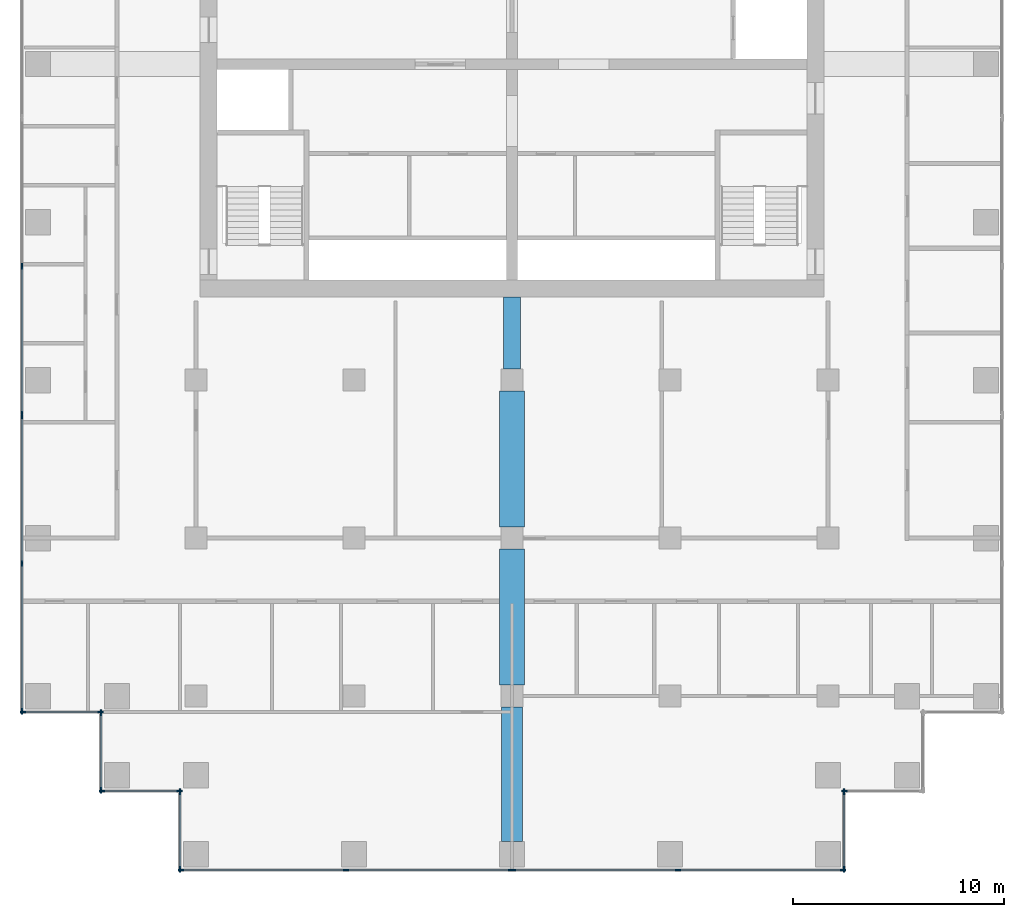
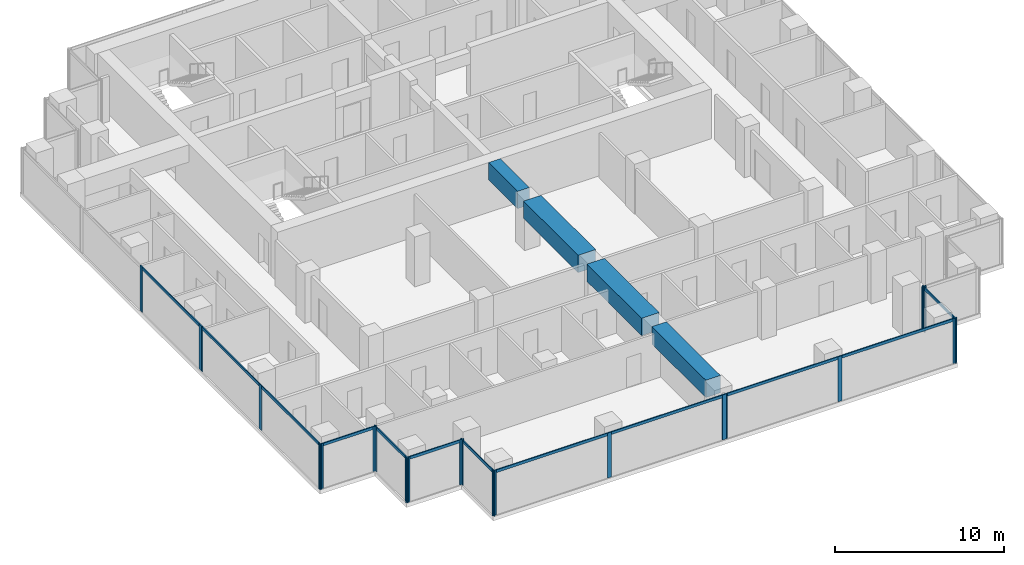
# One storey, part 2 of 10: 34 members, 4 beams, 10 elements without a shape of their own.
"""IFC4 building model written with IfcOpenShell, lengths in metres."""

import ifcopenshell
import ifcopenshell.guid

model = None  # the IFC model being written
_history = None  # IfcOwnerHistory: only IFC2X3 demands one
_inside = {}  # id of a spatial element -> (the spatial element, [elements in it])
_under = {}  # id of a project, library or spatial element -> (it, [spatial elements below it])
_declared = {}  # id of a project -> (the project, [libraries it declares])
_typed = {}  # id of a type object -> (the type object, [elements of that type])
_made_of = {}  # id of a material, layer set ... -> (it, [elements and type objects made of it])


def new_model(schema):
    """Start an empty IFC model of exactly this schema.

    Asked for "IFC4X3", IfcOpenShell would pick the latest addendum, in which some entities
    have other attributes; the version numbers below select the first issue.
    IFC2X3 requires an IfcOwnerHistory on every rooted entity: one is made here for all.
    """
    global model, _history
    if schema == "IFC4X3":
        model = ifcopenshell.file(schema_version=(4, 3, 0, 0))
    else:
        model = ifcopenshell.file(schema=schema)
    _inside.clear()
    _under.clear()
    _declared.clear()
    _typed.clear()
    _made_of.clear()
    _history = None
    if model.schema == "IFC2X3":
        org = make("IfcOrganization", Name="unknown")
        user = make(
            "IfcPersonAndOrganization",
            ThePerson=make("IfcPerson", FamilyName="unknown"),
            TheOrganization=org,
        )
        app = make(
            "IfcApplication",
            ApplicationDeveloper=org,
            Version="unknown",
            ApplicationFullName="unknown",
            ApplicationIdentifier="unknown",
        )
        _history = make(
            "IfcOwnerHistory",
            OwningUser=user,
            OwningApplication=app,
            ChangeAction="ADDED",
            CreationDate=0,
        )
    return model


def make(cls, **values):
    """One entity of the class cls with the attributes given. An attribute that is None is left unset."""
    return model.create_entity(
        cls, **{name: value for name, value in values.items() if value is not None}
    )


def rooted(cls, **values):
    """An entity with a GlobalId (a new one), such as an element, a storey or a relation."""
    return make(cls, GlobalId=ifcopenshell.guid.new(), OwnerHistory=_history, **values)


def si_unit(unit_type, name, prefix=None):
    """IfcSIUnit, for example si_unit("LENGTHUNIT", "METRE", prefix="MILLI")."""
    return make("IfcSIUnit", UnitType=unit_type, Prefix=prefix, Name=name)


def assignment(units):
    """IfcUnitAssignment: the units of a project."""
    return None if units is None else make("IfcUnitAssignment", Units=units)


def point(xyz):
    """IfcCartesianPoint."""
    return None if xyz is None else make("IfcCartesianPoint", Coordinates=xyz)


def direction(xyz):
    """IfcDirection."""
    return None if xyz is None else make("IfcDirection", DirectionRatios=xyz)


def frame(location, z_axis=None, x_axis=None):
    """IfcAxis2Placement3D, a coordinate frame: its origin and axes. An axis left out is left unset."""
    return make(
        "IfcAxis2Placement3D",
        Location=point(location),
        Axis=direction(z_axis),
        RefDirection=direction(x_axis),
    )


def frame_2d(location, x_axis=None):
    """IfcAxis2Placement2D, a coordinate frame in the plane: its origin and x axis."""
    return make(
        "IfcAxis2Placement2D", Location=point(location), RefDirection=direction(x_axis)
    )


def origin():
    """The frame at (0, 0, 0) with its axes left unset."""
    return frame((0.0, 0.0, 0.0))


def origin_2d():
    """The frame at (0, 0) in the plane with its x axis left unset."""
    return frame_2d((0.0, 0.0))


def place(relative_to, where):
    """IfcLocalPlacement: puts the frame where relative to a parent placement (None: the world)."""
    return make(
        "IfcLocalPlacement", PlacementRelTo=relative_to, RelativePlacement=where
    )


def context(
    kind, dimensions, precision=None, world=None, true_north=None, identifier=None
):
    """IfcGeometricRepresentationContext, for example the 3D "Model" context."""
    return make(
        "IfcGeometricRepresentationContext",
        ContextIdentifier=identifier,
        ContextType=kind,
        CoordinateSpaceDimension=dimensions,
        Precision=precision,
        WorldCoordinateSystem=world,
        TrueNorth=true_north,
    )


def subcontext(parent, identifier, kind, view, scale=None):
    """IfcGeometricRepresentationSubContext, for example "Body" below "Model"."""
    return make(
        "IfcGeometricRepresentationSubContext",
        ContextIdentifier=identifier,
        ContextType=kind,
        ParentContext=parent,
        TargetScale=scale,
        TargetView=view,
    )


def project(units=None, contexts=None):
    """IfcProject with its units and contexts."""
    return rooted(
        "IfcProject",
        Name="project",
        RepresentationContexts=contexts,
        UnitsInContext=assignment(units),
    )


def spatial(cls, under=None, at=None, **own):
    """A site, building, storey or space (cls), placed at a placement, below another one or the project."""
    s = rooted(cls, ObjectPlacement=at, **own)
    if under is not None:
        _under.setdefault(under.id(), (under, []))[1].append(s)
    return s


def profile(cls, at=None, kind="AREA", **sizes):
    """A parametric profile (cls). Its sizes go by their IFC names, for example OverallWidth=200.0."""
    return make(cls, ProfileType=kind, Position=at, **sizes)


def rectangle(**sizes):
    """IfcRectangleProfileDef."""
    return profile("IfcRectangleProfileDef", **sizes)


def extrude(swept, where, along, depth):
    """IfcExtrudedAreaSolid: the profile swept, set in the frame where, extruded along a direction by depth."""
    return make(
        "IfcExtrudedAreaSolid",
        SweptArea=swept,
        Position=where,
        ExtrudedDirection=direction(along),
        Depth=depth,
    )


def shape(context_of_items, identifier, shape_type, items):
    """IfcShapeRepresentation: the items that make up one representation, for example the "Body"."""
    return make(
        "IfcShapeRepresentation",
        ContextOfItems=context_of_items,
        RepresentationIdentifier=identifier,
        RepresentationType=shape_type,
        Items=items,
    )


def material(Name=None, Category=None):
    """IfcMaterial."""
    return make("IfcMaterial", Name=Name, Category=Category)


def material_profile(
    of_material, cross_section, Name=None, Category=None, Priority=None
):
    """IfcMaterialProfile: a cross section and its material."""
    return make(
        "IfcMaterialProfile",
        Name=Name,
        Material=of_material,
        Profile=cross_section,
        Priority=Priority,
        Category=Category,
    )


def profile_set(profiles, Name=None, composite=None):
    """IfcMaterialProfileSet."""
    return make(
        "IfcMaterialProfileSet",
        Name=Name,
        MaterialProfiles=profiles,
        CompositeProfile=composite,
    )


def made_of(thing, what):
    """Note that an element or type object is made of a material, layer set ...; save() writes the relation."""
    if what is not None:
        _made_of.setdefault(what.id(), (what, []))[1].append(thing)
    return thing


def type_object(cls, material=None, **own):
    """A type object (cls), such as IfcWallType, which elements share."""
    return made_of(rooted(cls, **own), material)


def element(
    cls,
    number,
    at=None,
    inside=None,
    cuts=None,
    type_object=None,
    material=None,
    context=None,
    identifier="Body",
    shape_type=None,
    held_by="IfcProductDefinitionShape",
    body=None,
    shapes=None,
    **own,
):
    """One element of the class cls, such as IfcWall. Its Tag is "e" and its number.

    at: its placement. inside: the storey or other place that contains it. cuts: it is an
    opening in that element (IfcRelVoidsElement). A single representation is given by context,
    identifier, shape_type and body (its items); several are given by shapes. held_by: the class
    of the entity that holds the representations. save() writes the other relations.
    """
    e = rooted(cls, Tag="e%d" % number, ObjectPlacement=at, **own)
    if body is not None:
        shapes = [shape(context, identifier, shape_type, body)]
    if shapes is not None:
        e.Representation = make(held_by, Representations=shapes)
    if inside is not None:
        _inside.setdefault(inside.id(), (inside, []))[1].append(e)
    if cuts is not None:
        rooted(
            "IfcRelVoidsElement", RelatingBuildingElement=cuts, RelatedOpeningElement=e
        )
    if type_object is not None:
        _typed.setdefault(type_object.id(), (type_object, []))[1].append(e)
    return made_of(e, material)


def aggregate(whole, parts):
    """IfcRelAggregates: a whole, such as a stair, and the parts it consists of."""
    return rooted("IfcRelAggregates", RelatingObject=whole, RelatedObjects=parts)


def save(model, path):
    """Write the relations noted so far, then the file.

    IfcRelAggregates (storeys below a building ...), IfcRelContainedInSpatialStructure (elements
    in a storey), IfcRelDefinesByType, IfcRelAssociatesMaterial and IfcRelDeclares: one each for
    every whole, place, type object, material and project.
    """
    for whole, parts in _under.values():
        aggregate(whole, parts)
    for where, things in _inside.values():
        rooted(
            "IfcRelContainedInSpatialStructure",
            RelatedElements=things,
            RelatingStructure=where,
        )
    for kind, things in _typed.values():
        rooted("IfcRelDefinesByType", RelatedObjects=things, RelatingType=kind)
    for what, things in _made_of.values():
        rooted("IfcRelAssociatesMaterial", RelatedObjects=things, RelatingMaterial=what)
    for by, libraries in _declared.values():
        rooted("IfcRelDeclares", RelatingContext=by, RelatedDefinitions=libraries)
    model.write(path)


model = new_model("IFC4")

# Units and contexts
model_context = context("Model", 3, precision=1e-05, world=origin(), true_north=direction((0.0, 1.0)))
body_context = subcontext(model_context, "Body", "Model", "MODEL_VIEW")
ifc_project = project(units=[si_unit("LENGTHUNIT", "METRE"), si_unit("AREAUNIT", "SQUARE_METRE"), si_unit("VOLUMEUNIT", "CUBIC_METRE"), si_unit("PLANEANGLEUNIT", "RADIAN"), si_unit("MASSUNIT", "GRAM", prefix="KILO")], contexts=[model_context])

# Site, building, storey
site_placement = place(None, origin())
site = spatial("IfcSite", under=ifc_project, at=site_placement, CompositionType="ELEMENT")
building_placement = place(site_placement, origin())
building = spatial("IfcBuilding", under=site, at=building_placement, Name="Pilkhan Gate Tower", CompositionType="ELEMENT")
storey_placement = place(building_placement, frame((0.0, 0.0, 180.10009765625)))
storey = spatial("IfcBuildingStorey", under=building, at=storey_placement, Name="L46", CompositionType="ELEMENT", Elevation=180.10009765625)

# Curtain wall, members
ifc_material_1 = material(Name="Pale anodised aluminium, clear low-iron double glazing", Category="aluminium")
curtain_wall_type = type_object("IfcCurtainWallType", Name="Office unitised curtain wall CW-O1", PredefinedType="USERDEFINED", material=ifc_material_1)
curtain_wall_1_placement = place(storey_placement, origin())
curtain_wall_1 = element("IfcCurtainWall", 1, at=curtain_wall_1_placement, inside=storey, type_object=curtain_wall_type, Name="Office unitised curtain wall CW-O1 L46 W", ObjectType="UNITISED CURTAIN WALL", PredefinedType="USERDEFINED")
ifc_material_2 = material(Name="Pale anodised aluminium", Category="aluminium")
ifc_material_profile_1 = material_profile(ifc_material_2, rectangle(XDim=0.070068359375, YDim=0.27490234375, at=origin_2d()), Name="Mullion 275x70")
ifc_profile_set_1 = profile_set([ifc_material_profile_1], Name="Pale anodised aluminium")
member_type_1 = type_object("IfcMemberType", Name="Mullion CW-O1 275x70", PredefinedType="MULLION", material=ifc_profile_set_1)
member_1_placement = place(storey_placement, frame((51.75, 51.784912109375, 0.0), z_axis=(0.0, 0.0, 1.0), x_axis=(-1.0, 0.0, 0.0)))
member_1 = element("IfcMember", 2, at=member_1_placement, type_object=member_type_1, Name="CW-O1 mullion 1", PredefinedType="MULLION", context=body_context, shape_type="SweptSolid", body=[
    extrude(rectangle(XDim=0.070068359375, YDim=0.27490234375, at=origin_2d()), origin(), (0.0, 0.0, 1.0), 3.25),
])
member_2_placement = place(storey_placement, frame((51.75, 58.800048828125, 0.0), z_axis=(0.0, 0.0, 1.0), x_axis=(-1.0, 0.0, 0.0)))
member_2 = element("IfcMember", 3, at=member_2_placement, type_object=member_type_1, Name="CW-O1 mullion 2", PredefinedType="MULLION", context=body_context, shape_type="SweptSolid", body=[
    extrude(rectangle(XDim=0.070068359375, YDim=0.27490234375, at=origin_2d()), origin(), (0.0, 0.0, 1.0), 3.25),
])
member_3_placement = place(storey_placement, frame((51.75, 65.81494140625, 0.0), z_axis=(0.0, 0.0, 1.0), x_axis=(-1.0, 0.0, 0.0)))
member_3 = element("IfcMember", 4, at=member_3_placement, type_object=member_type_1, Name="CW-O1 mullion 3", PredefinedType="MULLION", context=body_context, shape_type="SweptSolid", body=[
    extrude(rectangle(XDim=0.070068359375, YDim=0.27490234375, at=origin_2d()), origin(), (0.0, 0.0, 1.0), 3.25),
])

curtain_wall_2_placement = place(storey_placement, origin())
curtain_wall_2 = element("IfcCurtainWall", 5, at=curtain_wall_2_placement, inside=storey, type_object=curtain_wall_type, Name="Office unitised curtain wall CW-O1 L46 W", ObjectType="UNITISED CURTAIN WALL", PredefinedType="USERDEFINED")
member_4_placement = place(storey_placement, frame((51.75, 65.885009765625, 0.0), z_axis=(0.0, 0.0, 1.0), x_axis=(-1.0, 0.0, 0.0)))
member_4 = element("IfcMember", 6, at=member_4_placement, type_object=member_type_1, Name="CW-O1 mullion 1", PredefinedType="MULLION", context=body_context, shape_type="SweptSolid", body=[
    extrude(rectangle(XDim=0.070068359375, YDim=0.27490234375, at=origin_2d()), origin(), (0.0, 0.0, 1.0), 3.25),
])
member_5_placement = place(storey_placement, frame((51.75, 72.89990234375, 0.0), z_axis=(0.0, 0.0, 1.0), x_axis=(-1.0, 0.0, 0.0)))
member_5 = element("IfcMember", 7, at=member_5_placement, type_object=member_type_1, Name="CW-O1 mullion 2", PredefinedType="MULLION", context=body_context, shape_type="SweptSolid", body=[
    extrude(rectangle(XDim=0.070068359375, YDim=0.27490234375, at=origin_2d()), origin(), (0.0, 0.0, 1.0), 3.25),
])

curtain_wall_3_placement = place(storey_placement, origin())
curtain_wall_3 = element("IfcCurtainWall", 8, at=curtain_wall_3_placement, inside=storey, type_object=curtain_wall_type, Name="Office unitised curtain wall CW-O1 L46 S", ObjectType="UNITISED CURTAIN WALL", PredefinedType="USERDEFINED")
member_6_placement = place(storey_placement, frame((51.784912109375, 51.75, 0.0), z_axis=(0.0, 0.0, 1.0), x_axis=(0.0, 1.0, 0.0)))
member_6 = element("IfcMember", 9, at=member_6_placement, type_object=member_type_1, Name="CW-O1 mullion 1", PredefinedType="MULLION", context=body_context, shape_type="SweptSolid", body=[
    extrude(rectangle(XDim=0.070068359375, YDim=0.27490234375, at=origin_2d()), origin(), (0.0, 0.0, 1.0), 3.25),
])
member_7_placement = place(storey_placement, frame((55.465087890625, 51.75, 0.0), z_axis=(0.0, 0.0, 1.0), x_axis=(0.0, 1.0, 0.0)))
member_7 = element("IfcMember", 10, at=member_7_placement, type_object=member_type_1, Name="CW-O1 mullion 2", PredefinedType="MULLION", context=body_context, shape_type="SweptSolid", body=[
    extrude(rectangle(XDim=0.070068359375, YDim=0.27490234375, at=origin_2d()), origin(), (0.0, 0.0, 1.0), 3.25),
])

curtain_wall_4_placement = place(storey_placement, origin())
curtain_wall_4 = element("IfcCurtainWall", 11, at=curtain_wall_4_placement, inside=storey, type_object=curtain_wall_type, Name="Office unitised curtain wall CW-O1 L46 W", ObjectType="UNITISED CURTAIN WALL", PredefinedType="USERDEFINED")
member_8_placement = place(storey_placement, frame((55.5, 48.034912109375, 0.0), z_axis=(0.0, 0.0, 1.0), x_axis=(-1.0, 0.0, 0.0)))
member_8 = element("IfcMember", 12, at=member_8_placement, type_object=member_type_1, Name="CW-O1 mullion 1", PredefinedType="MULLION", context=body_context, shape_type="SweptSolid", body=[
    extrude(rectangle(XDim=0.070068359375, YDim=0.27490234375, at=origin_2d()), origin(), (0.0, 0.0, 1.0), 3.25),
])
member_9_placement = place(storey_placement, frame((55.5, 51.715087890625, 0.0), z_axis=(0.0, 0.0, 1.0), x_axis=(-1.0, 0.0, 0.0)))
member_9 = element("IfcMember", 13, at=member_9_placement, type_object=member_type_1, Name="CW-O1 mullion 2", PredefinedType="MULLION", context=body_context, shape_type="SweptSolid", body=[
    extrude(rectangle(XDim=0.070068359375, YDim=0.27490234375, at=origin_2d()), origin(), (0.0, 0.0, 1.0), 3.25),
])

curtain_wall_5_placement = place(storey_placement, origin())
curtain_wall_5 = element("IfcCurtainWall", 14, at=curtain_wall_5_placement, inside=storey, type_object=curtain_wall_type, Name="Office unitised curtain wall CW-O1 L46 S", ObjectType="UNITISED CURTAIN WALL", PredefinedType="USERDEFINED")
member_10_placement = place(storey_placement, frame((55.534912109375, 48.0, 0.0), z_axis=(0.0, 0.0, 1.0), x_axis=(0.0, 1.0, 0.0)))
member_10 = element("IfcMember", 15, at=member_10_placement, type_object=member_type_1, Name="CW-O1 mullion 1", PredefinedType="MULLION", context=body_context, shape_type="SweptSolid", body=[
    extrude(rectangle(XDim=0.070068359375, YDim=0.27490234375, at=origin_2d()), origin(), (0.0, 0.0, 1.0), 3.25),
])
member_11_placement = place(storey_placement, frame((59.215087890625, 48.0, 0.0), z_axis=(0.0, 0.0, 1.0), x_axis=(0.0, 1.0, 0.0)))
member_11 = element("IfcMember", 16, at=member_11_placement, type_object=member_type_1, Name="CW-O1 mullion 2", PredefinedType="MULLION", context=body_context, shape_type="SweptSolid", body=[
    extrude(rectangle(XDim=0.070068359375, YDim=0.27490234375, at=origin_2d()), origin(), (0.0, 0.0, 1.0), 3.25),
])

curtain_wall_6_placement = place(storey_placement, origin())
curtain_wall_6 = element("IfcCurtainWall", 17, at=curtain_wall_6_placement, inside=storey, type_object=curtain_wall_type, Name="Office unitised curtain wall CW-O1 L46 W", ObjectType="UNITISED CURTAIN WALL", PredefinedType="USERDEFINED")
member_12_placement = place(storey_placement, frame((59.25, 44.284912109375, 0.0), z_axis=(0.0, 0.0, 1.0), x_axis=(-1.0, 0.0, 0.0)))
member_12 = element("IfcMember", 18, at=member_12_placement, type_object=member_type_1, Name="CW-O1 mullion 1", PredefinedType="MULLION", context=body_context, shape_type="SweptSolid", body=[
    extrude(rectangle(XDim=0.070068359375, YDim=0.27490234375, at=origin_2d()), origin(), (0.0, 0.0, 1.0), 3.25),
])
member_13_placement = place(storey_placement, frame((59.25, 47.965087890625, 0.0), z_axis=(0.0, 0.0, 1.0), x_axis=(-1.0, 0.0, 0.0)))
member_13 = element("IfcMember", 19, at=member_13_placement, type_object=member_type_1, Name="CW-O1 mullion 2", PredefinedType="MULLION", context=body_context, shape_type="SweptSolid", body=[
    extrude(rectangle(XDim=0.070068359375, YDim=0.27490234375, at=origin_2d()), origin(), (0.0, 0.0, 1.0), 3.25),
])

curtain_wall_7_placement = place(storey_placement, origin())
curtain_wall_7 = element("IfcCurtainWall", 20, at=curtain_wall_7_placement, inside=storey, type_object=curtain_wall_type, Name="Office unitised curtain wall CW-O1 L46 S", ObjectType="UNITISED CURTAIN WALL", PredefinedType="USERDEFINED")
member_14_placement = place(storey_placement, frame((59.284912109375, 44.25, 0.0), z_axis=(0.0, 0.0, 1.0), x_axis=(0.0, 1.0, 0.0)))
member_14 = element("IfcMember", 21, at=member_14_placement, type_object=member_type_1, Name="CW-O1 mullion 1", PredefinedType="MULLION", context=body_context, shape_type="SweptSolid", body=[
    extrude(rectangle(XDim=0.070068359375, YDim=0.27490234375, at=origin_2d()), origin(), (0.0, 0.0, 1.0), 3.25),
])
member_15_placement = place(storey_placement, frame((67.125, 44.25, 0.0), z_axis=(0.0, 0.0, 1.0), x_axis=(0.0, 1.0, 0.0)))
member_15 = element("IfcMember", 22, at=member_15_placement, type_object=member_type_1, Name="CW-O1 mullion 2", PredefinedType="MULLION", context=body_context, shape_type="SweptSolid", body=[
    extrude(rectangle(XDim=0.070068359375, YDim=0.27490234375, at=origin_2d()), origin(), (0.0, 0.0, 1.0), 3.25),
])
member_16_placement = place(storey_placement, frame((74.965087890625, 44.25, 0.0), z_axis=(0.0, 0.0, 1.0), x_axis=(0.0, 1.0, 0.0)))
member_16 = element("IfcMember", 23, at=member_16_placement, type_object=member_type_1, Name="CW-O1 mullion 3", PredefinedType="MULLION", context=body_context, shape_type="SweptSolid", body=[
    extrude(rectangle(XDim=0.070068359375, YDim=0.27490234375, at=origin_2d()), origin(), (0.0, 0.0, 1.0), 3.25),
])

curtain_wall_8_placement = place(storey_placement, origin())
curtain_wall_8 = element("IfcCurtainWall", 24, at=curtain_wall_8_placement, inside=storey, type_object=curtain_wall_type, Name="Office unitised curtain wall CW-O1 L46 S", ObjectType="UNITISED CURTAIN WALL", PredefinedType="USERDEFINED")
member_17_placement = place(storey_placement, frame((75.034912109375, 44.25, 0.0), z_axis=(0.0, 0.0, 1.0), x_axis=(0.0, 1.0, 0.0)))
member_17 = element("IfcMember", 25, at=member_17_placement, type_object=member_type_1, Name="CW-O1 mullion 1", PredefinedType="MULLION", context=body_context, shape_type="SweptSolid", body=[
    extrude(rectangle(XDim=0.070068359375, YDim=0.27490234375, at=origin_2d()), origin(), (0.0, 0.0, 1.0), 3.25),
])
member_18_placement = place(storey_placement, frame((82.875, 44.25, 0.0), z_axis=(0.0, 0.0, 1.0), x_axis=(0.0, 1.0, 0.0)))
member_18 = element("IfcMember", 26, at=member_18_placement, type_object=member_type_1, Name="CW-O1 mullion 2", PredefinedType="MULLION", context=body_context, shape_type="SweptSolid", body=[
    extrude(rectangle(XDim=0.070068359375, YDim=0.27490234375, at=origin_2d()), origin(), (0.0, 0.0, 1.0), 3.25),
])
member_19_placement = place(storey_placement, frame((90.715087890625, 44.25, 0.0), z_axis=(0.0, 0.0, 1.0), x_axis=(0.0, 1.0, 0.0)))
member_19 = element("IfcMember", 27, at=member_19_placement, type_object=member_type_1, Name="CW-O1 mullion 3", PredefinedType="MULLION", context=body_context, shape_type="SweptSolid", body=[
    extrude(rectangle(XDim=0.070068359375, YDim=0.27490234375, at=origin_2d()), origin(), (0.0, 0.0, 1.0), 3.25),
])

curtain_wall_9_placement = place(storey_placement, origin())
curtain_wall_9 = element("IfcCurtainWall", 28, at=curtain_wall_9_placement, inside=storey, type_object=curtain_wall_type, Name="Office unitised curtain wall CW-O1 L46 E", ObjectType="UNITISED CURTAIN WALL", PredefinedType="USERDEFINED")
member_20_placement = place(storey_placement, frame((90.75, 44.284912109375, 0.0), z_axis=(0.0, 0.0, 1.0), x_axis=(-1.0, 0.0, 0.0)))
member_20 = element("IfcMember", 29, at=member_20_placement, type_object=member_type_1, Name="CW-O1 mullion 1", PredefinedType="MULLION", context=body_context, shape_type="SweptSolid", body=[
    extrude(rectangle(XDim=0.070068359375, YDim=0.27490234375, at=origin_2d()), origin(), (0.0, 0.0, 1.0), 3.25),
])
member_21_placement = place(storey_placement, frame((90.75, 47.965087890625, 0.0), z_axis=(0.0, 0.0, 1.0), x_axis=(-1.0, 0.0, 0.0)))
member_21 = element("IfcMember", 30, at=member_21_placement, type_object=member_type_1, Name="CW-O1 mullion 2", PredefinedType="MULLION", context=body_context, shape_type="SweptSolid", body=[
    extrude(rectangle(XDim=0.070068359375, YDim=0.27490234375, at=origin_2d()), origin(), (0.0, 0.0, 1.0), 3.25),
])

# Curtain wall, member
curtain_wall_10_placement = place(storey_placement, origin())
curtain_wall_10 = element("IfcCurtainWall", 31, at=curtain_wall_10_placement, inside=storey, type_object=curtain_wall_type, Name="Office unitised curtain wall CW-O1 L46 S", ObjectType="UNITISED CURTAIN WALL", PredefinedType="USERDEFINED")
member_22_placement = place(storey_placement, frame((90.784912109375, 48.0, 0.0), z_axis=(0.0, 0.0, 1.0), x_axis=(0.0, 1.0, 0.0)))
member_22 = element("IfcMember", 32, at=member_22_placement, type_object=member_type_1, Name="CW-O1 mullion 1", PredefinedType="MULLION", context=body_context, shape_type="SweptSolid", body=[
    extrude(rectangle(XDim=0.070068359375, YDim=0.27490234375, at=origin_2d()), origin(), (0.0, 0.0, 1.0), 3.25),
])
aggregate(curtain_wall_10, [member_22])

# Beams
ifc_material_3 = material(Name="Concrete C60/75", Category="concrete")
ifc_material_profile_2 = material_profile(ifc_material_3, rectangle(XDim=0.800048828125, YDim=1.25, at=origin_2d()), Name="RC 800x1250")
ifc_profile_set_2 = profile_set([ifc_material_profile_2], Name="Concrete C60/75")
beam_type_1 = type_object("IfcBeamType", Name="Outrigger support beam OB1 RC 800x1250 C60/75", PredefinedType="BEAM", material=ifc_profile_set_2)
beam_1_placement = place(storey_placement, frame((75.0, 68.02490234375, 2.974853515625), z_axis=(0.0, 1.0, 0.0), x_axis=(-1.0, 0.0, 0.0)))
element("IfcBeam", 33, at=beam_1_placement, inside=storey, type_object=beam_type_1, Name="Outrigger support beam 4 L47", PredefinedType="BEAM", context=body_context, shape_type="SweptSolid", body=[
    extrude(rectangle(XDim=0.800048828125, YDim=1.25, at=origin_2d()), origin(), (0.0, 0.0, 1.0), 3.425048828125),
])
ifc_material_profile_3 = material_profile(ifc_material_3, rectangle(XDim=1.0, YDim=1.25, at=origin_2d()), Name="RC 1000x1250")
ifc_profile_set_3 = profile_set([ifc_material_profile_3], Name="Concrete C60/75")
beam_type_2 = type_object("IfcBeamType", Name="Outrigger support beam OB2 RC 1000x1250 C60/75", PredefinedType="BEAM", material=ifc_profile_set_3)
beam_2_placement = place(storey_placement, frame((75.0, 45.60009765625, 2.974853515625), z_axis=(0.0, 1.0, 0.0), x_axis=(-1.0, 0.0, 0.0)))
element("IfcBeam", 34, at=beam_2_placement, inside=storey, type_object=beam_type_2, Name="Outrigger support beam 1 L47", PredefinedType="BEAM", context=body_context, shape_type="SweptSolid", body=[
    extrude(rectangle(XDim=1.0, YDim=1.25, at=origin_2d()), origin(), (0.0, 0.0, 1.0), 6.375),
])
ifc_material_profile_4 = material_profile(ifc_material_3, rectangle(XDim=1.199951171875, YDim=1.25, at=origin_2d()), Name="RC 1200x1250")
ifc_profile_set_4 = profile_set([ifc_material_profile_4], Name="Concrete C60/75")
beam_type_3 = type_object("IfcBeamType", Name="Outrigger support beam OB3 RC 1200x1250 C60/75", PredefinedType="BEAM", material=ifc_profile_set_4)
for number, where, z_axis, x_axis, name in (
    (35, (75.0, 53.02490234375, 2.974853515625), (0.0, 1.0, 0.0), (-1.0, 0.0, 0.0), "Outrigger support beam 2 L47"),
    (36, (75.0, 60.52490234375, 2.974853515625), (0.0, 1.0, 0.0), (-1.0, 0.0, 0.0), "Outrigger support beam 3 L47"),
):
    element("IfcBeam", number, at=place(storey_placement, frame(where, z_axis=z_axis, x_axis=x_axis)), inside=storey, type_object=beam_type_3, Name=name, PredefinedType="BEAM", context=body_context, shape_type="SweptSolid", body=[
        extrude(rectangle(XDim=1.199951171875, YDim=1.25, at=origin_2d()), origin(), (0.0, 0.0, 1.0), 6.4501953125),
    ])

# Member
ifc_material_profile_5 = material_profile(ifc_material_2, rectangle(XDim=0.070068359375, YDim=0.199951171875, at=origin_2d()), Name="Transom 200x70")
ifc_profile_set_5 = profile_set([ifc_material_profile_5], Name="Pale anodised aluminium")
member_type_2 = type_object("IfcMemberType", Name="Transom CW-O1 200x70", PredefinedType="USERDEFINED", material=ifc_profile_set_5)
member_23_placement = place(storey_placement, frame((51.75, 51.820068359375, 3.14990234375), z_axis=(0.0, 1.0, 0.0), x_axis=(-1.0, 0.0, 0.0)))
member_23 = element("IfcMember", 37, at=member_23_placement, type_object=member_type_2, Name="CW-O1 transom 1", ObjectType="TRANSOM", PredefinedType="USERDEFINED", context=body_context, shape_type="SweptSolid", body=[
    extrude(rectangle(XDim=0.070068359375, YDim=0.199951171875, at=origin_2d()), origin(), (0.0, 0.0, 1.0), 6.94482421875),
])

member_24_placement = place(storey_placement, frame((51.75, 58.8349609375, 3.14990234375), z_axis=(0.0, 1.0, 0.0), x_axis=(-1.0, 0.0, 0.0)))
member_24 = element("IfcMember", 38, at=member_24_placement, type_object=member_type_2, Name="CW-O1 transom 2", ObjectType="TRANSOM", PredefinedType="USERDEFINED", context=body_context, shape_type="SweptSolid", body=[
    extrude(rectangle(XDim=0.070068359375, YDim=0.199951171875, at=origin_2d()), origin(), (0.0, 0.0, 1.0), 6.945068359375),
])

aggregate(curtain_wall_1, [member_1, member_2, member_3, member_23, member_24])

member_25_placement = place(storey_placement, frame((51.75, 65.919921875, 3.14990234375), z_axis=(0.0, 1.0, 0.0), x_axis=(-1.0, 0.0, 0.0)))
member_25 = element("IfcMember", 39, at=member_25_placement, type_object=member_type_2, Name="CW-O1 transom 1", ObjectType="TRANSOM", PredefinedType="USERDEFINED", context=body_context, shape_type="SweptSolid", body=[
    extrude(rectangle(XDim=0.070068359375, YDim=0.199951171875, at=origin_2d()), origin(), (0.0, 0.0, 1.0), 6.945068359375),
])

aggregate(curtain_wall_2, [member_4, member_5, member_25])

member_26_placement = place(storey_placement, frame((51.820068359375, 51.75, 3.14990234375), z_axis=(1.0, 0.0, 0.0), x_axis=(0.0, 1.0, 0.0)))
member_26 = element("IfcMember", 40, at=member_26_placement, type_object=member_type_2, Name="CW-O1 transom 1", ObjectType="TRANSOM", PredefinedType="USERDEFINED", context=body_context, shape_type="SweptSolid", body=[
    extrude(rectangle(XDim=0.070068359375, YDim=0.199951171875, at=origin_2d()), origin(), (0.0, 0.0, 1.0), 3.60986328125),
])

aggregate(curtain_wall_3, [member_6, member_7, member_26])

member_27_placement = place(storey_placement, frame((55.5, 48.070068359375, 3.14990234375), z_axis=(0.0, 1.0, 0.0), x_axis=(-1.0, 0.0, 0.0)))
member_27 = element("IfcMember", 41, at=member_27_placement, type_object=member_type_2, Name="CW-O1 transom 1", ObjectType="TRANSOM", PredefinedType="USERDEFINED", context=body_context, shape_type="SweptSolid", body=[
    extrude(rectangle(XDim=0.070068359375, YDim=0.199951171875, at=origin_2d()), origin(), (0.0, 0.0, 1.0), 3.60986328125),
])

aggregate(curtain_wall_4, [member_8, member_9, member_27])

member_28_placement = place(storey_placement, frame((55.570068359375, 48.0, 3.14990234375), z_axis=(1.0, 0.0, 0.0), x_axis=(0.0, 1.0, 0.0)))
member_28 = element("IfcMember", 42, at=member_28_placement, type_object=member_type_2, Name="CW-O1 transom 1", ObjectType="TRANSOM", PredefinedType="USERDEFINED", context=body_context, shape_type="SweptSolid", body=[
    extrude(rectangle(XDim=0.070068359375, YDim=0.199951171875, at=origin_2d()), origin(), (0.0, 0.0, 1.0), 3.60986328125),
])

aggregate(curtain_wall_5, [member_10, member_11, member_28])

member_29_placement = place(storey_placement, frame((59.25, 44.320068359375, 3.14990234375), z_axis=(0.0, 1.0, 0.0), x_axis=(-1.0, 0.0, 0.0)))
member_29 = element("IfcMember", 43, at=member_29_placement, type_object=member_type_2, Name="CW-O1 transom 1", ObjectType="TRANSOM", PredefinedType="USERDEFINED", context=body_context, shape_type="SweptSolid", body=[
    extrude(rectangle(XDim=0.070068359375, YDim=0.199951171875, at=origin_2d()), origin(), (0.0, 0.0, 1.0), 3.60986328125),
])

aggregate(curtain_wall_6, [member_12, member_13, member_29])

member_30_placement = place(storey_placement, frame((59.320068359375, 44.25, 3.14990234375), z_axis=(1.0, 0.0, 0.0), x_axis=(0.0, 1.0, 0.0)))
member_30 = element("IfcMember", 44, at=member_30_placement, type_object=member_type_2, Name="CW-O1 transom 1", ObjectType="TRANSOM", PredefinedType="USERDEFINED", context=body_context, shape_type="SweptSolid", body=[
    extrude(rectangle(XDim=0.070068359375, YDim=0.199951171875, at=origin_2d()), origin(), (0.0, 0.0, 1.0), 7.77001953125),
])

member_31_placement = place(storey_placement, frame((67.159912109375, 44.25, 3.14990234375), z_axis=(1.0, 0.0, 0.0), x_axis=(0.0, 1.0, 0.0)))
member_31 = element("IfcMember", 45, at=member_31_placement, type_object=member_type_2, Name="CW-O1 transom 2", ObjectType="TRANSOM", PredefinedType="USERDEFINED", context=body_context, shape_type="SweptSolid", body=[
    extrude(rectangle(XDim=0.070068359375, YDim=0.199951171875, at=origin_2d()), origin(), (0.0, 0.0, 1.0), 7.77001953125),
])

aggregate(curtain_wall_7, [member_14, member_15, member_16, member_30, member_31])

member_32_placement = place(storey_placement, frame((75.070068359375, 44.25, 3.14990234375), z_axis=(1.0, 0.0, 0.0), x_axis=(0.0, 1.0, 0.0)))
member_32 = element("IfcMember", 46, at=member_32_placement, type_object=member_type_2, Name="CW-O1 transom 1", ObjectType="TRANSOM", PredefinedType="USERDEFINED", context=body_context, shape_type="SweptSolid", body=[
    extrude(rectangle(XDim=0.070068359375, YDim=0.199951171875, at=origin_2d()), origin(), (0.0, 0.0, 1.0), 7.77001953125),
])

member_33_placement = place(storey_placement, frame((82.909912109375, 44.25, 3.14990234375), z_axis=(1.0, 0.0, 0.0), x_axis=(0.0, 1.0, 0.0)))
member_33 = element("IfcMember", 47, at=member_33_placement, type_object=member_type_2, Name="CW-O1 transom 2", ObjectType="TRANSOM", PredefinedType="USERDEFINED", context=body_context, shape_type="SweptSolid", body=[
    extrude(rectangle(XDim=0.070068359375, YDim=0.199951171875, at=origin_2d()), origin(), (0.0, 0.0, 1.0), 7.77001953125),
])

aggregate(curtain_wall_8, [member_17, member_18, member_19, member_32, member_33])

member_34_placement = place(storey_placement, frame((90.75, 44.320068359375, 3.14990234375), z_axis=(0.0, 1.0, 0.0), x_axis=(-1.0, 0.0, 0.0)))
member_34 = element("IfcMember", 48, at=member_34_placement, type_object=member_type_2, Name="CW-O1 transom 1", ObjectType="TRANSOM", PredefinedType="USERDEFINED", context=body_context, shape_type="SweptSolid", body=[
    extrude(rectangle(XDim=0.070068359375, YDim=0.199951171875, at=origin_2d()), origin(), (0.0, 0.0, 1.0), 3.60986328125),
])

aggregate(curtain_wall_9, [member_20, member_21, member_34])

save(model, "model.ifc")
